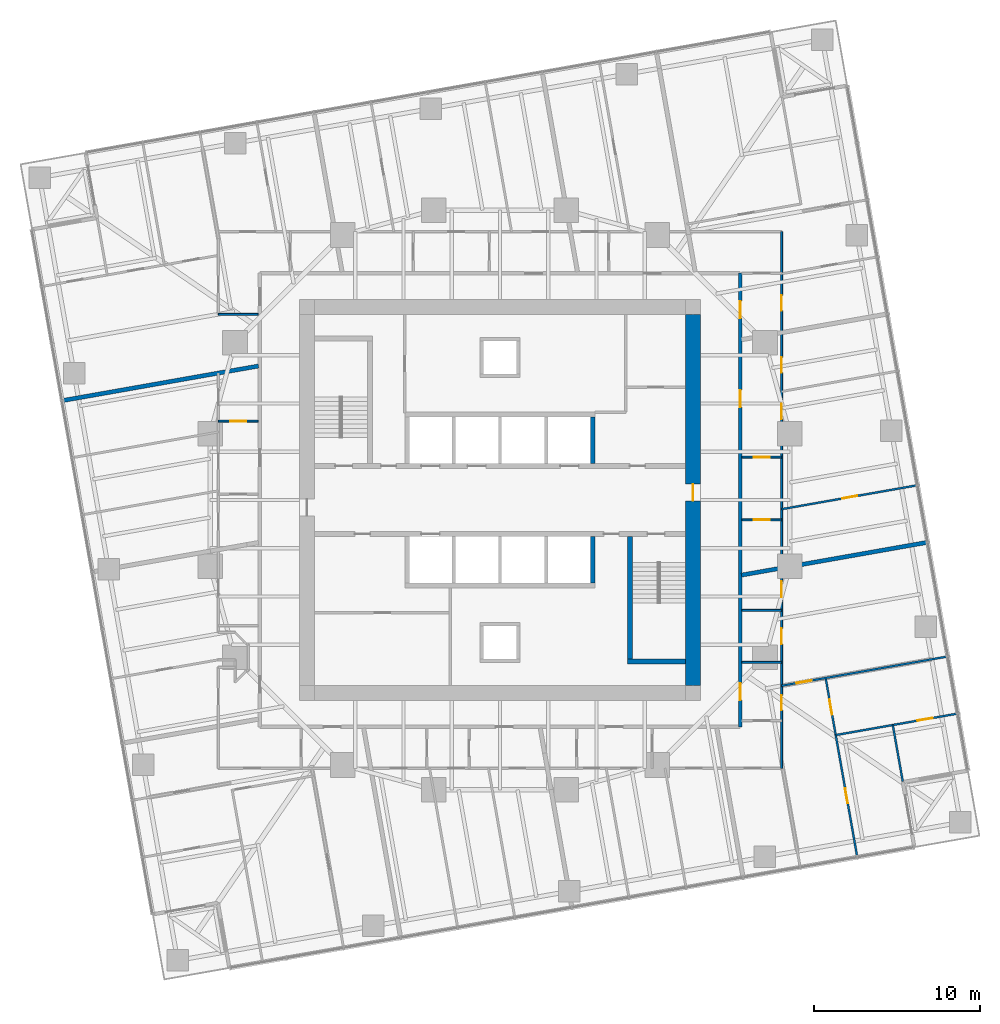
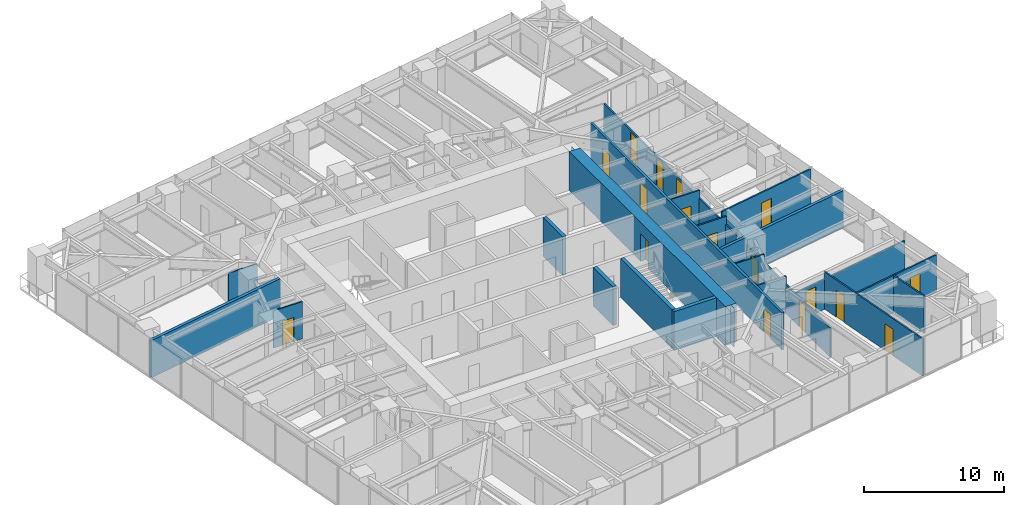
# One storey, part 11 of 14: 20 walls, 18 doors, 18 openings.
"""IFC4 building model written with IfcOpenShell, lengths in metres."""

from ifc_helpers import new_model, si_unit, direction, frame, frame_2d, origin, place, context, subcontext, project, spatial, polyline, rectangle, outline, extrude, material, layer, layer_set, type_object, element, fill, save


model = new_model("IFC4")

# Units and contexts
model_context = context("Model", 3, precision=1e-05, world=origin(), true_north=direction((0.0, 1.0)))
body_context = subcontext(model_context, "Body", "Model", "MODEL_VIEW")
ifc_project = project(units=[si_unit("LENGTHUNIT", "METRE"), si_unit("AREAUNIT", "SQUARE_METRE"), si_unit("VOLUMEUNIT", "CUBIC_METRE"), si_unit("PLANEANGLEUNIT", "RADIAN"), si_unit("MASSUNIT", "GRAM", prefix="KILO")], contexts=[model_context])

# Site, building, storey
site_placement = place(None, origin())
site = spatial("IfcSite", under=ifc_project, at=site_placement, CompositionType="ELEMENT")
building_placement = place(site_placement, origin())
building = spatial("IfcBuilding", under=site, at=building_placement, Name="Torsade Residences", CompositionType="ELEMENT")
storey_placement = place(building_placement, frame((0.0, 0.0, 89.60009765625)))
storey = spatial("IfcBuildingStorey", under=building, at=storey_placement, Name="L24", CompositionType="ELEMENT", Elevation=89.60009765625)

# Walls
ifc_material_1 = material(Name="Concrete 80 MPa", Category="concrete")
ifc_layer_1 = layer(ifc_material_1, 0.300048828125)
ifc_layer_set_1 = layer_set([ifc_layer_1], Name="Concrete 80 MPa")
wall_type_1 = type_object("IfcWallType", Name="CORE INTERNAL WALL 300", PredefinedType="SHEAR", material=ifc_layer_set_1)
for number, where, z_axis, x_axis, name in (
    (1, (45.60009765625, 27.800048828125, 0.0), (0.0, 0.0, 1.0), (0.0, -1.0, 0.0), "Core wall DS0 L24"),
    (2, (45.60009765625, 32.199951171875, 0.0), (0.0, 0.0, 1.0), (0.0, 1.0, 0.0), "Core wall DN4 L24"),
):
    element("IfcWall", number, at=place(storey_placement, frame(where, z_axis=z_axis, x_axis=x_axis)), inside=storey, type_object=wall_type_1, Name=name, PredefinedType="SHEAR", context=body_context, shape_type="SweptSolid", body=[
        extrude(rectangle(XDim=2.800048828125, YDim=0.300048828125, at=frame_2d((1.39990234375, 0.0))), origin(), (0.0, 0.0, 1.0), 3.39990234375),
    ])
wall_1_placement = place(storey_placement, frame((47.85009765625, 27.800048828125, 0.0), z_axis=(0.0, 0.0, 1.0), x_axis=(0.0, -1.0, 0.0)))
element("IfcWall", 3, at=wall_1_placement, inside=storey, type_object=wall_type_1, Name="Core wall ST2W L24", PredefinedType="SHEAR", context=body_context, shape_type="SweptSolid", body=[
    extrude(rectangle(XDim=7.699951171875, YDim=0.300048828125, at=frame_2d((3.85009765625, 0.0))), origin(), (0.0, 0.0, 1.0), 3.39990234375),
])
wall_2_placement = place(storey_placement, frame((51.199951171875, 20.25, 0.0), z_axis=(0.0, 0.0, 1.0), x_axis=(-1.0, 0.0, 0.0)))
element("IfcWall", 4, at=wall_2_placement, inside=storey, type_object=wall_type_1, Name="Core wall ST2S L24", PredefinedType="SHEAR", context=body_context, shape_type="SweptSolid", body=[
    extrude(rectangle(XDim=3.5, YDim=0.300048828125, at=frame_2d((1.75, 0.0))), origin(), (0.0, 0.0, 1.0), 3.39990234375),
])

# Wall, opening, door
ifc_material_2 = material(Name="Concrete 80 MPa", Category="concrete")
ifc_layer_2 = layer(ifc_material_2, 0.89990234375)
ifc_layer_set_2 = layer_set([ifc_layer_2], Name="Concrete 80 MPa")
wall_type_2 = type_object("IfcWallType", Name="CORE WALL 900", PredefinedType="SHEAR", material=ifc_layer_set_2)
wall_3_placement = place(storey_placement, frame((51.64990234375, 18.800048828125, 0.0), z_axis=(0.0, 0.0, 1.0), x_axis=(0.0, 1.0, 0.0)))
wall_3 = element("IfcWall", 5, at=wall_3_placement, inside=storey, type_object=wall_type_2, Name="Core wall E L24", PredefinedType="SHEAR", context=body_context, shape_type="SweptSolid", body=[
    extrude(outline(polyline([(0.0, -0.449951171875), (22.39990234375, -0.449951171875), (22.39990234375, -0.02490234375), (22.849853515625, -0.02490234375), (22.849853515625, 0.02490234375), (22.39990234375, 0.02490234375), (22.39990234375, 0.449951171875), (0.0, 0.449951171875), (0.0, 0.02490234375), (-0.449951171875, 0.02490234375), (-0.449951171875, -0.02490234375), (0.0, -0.02490234375), (0.0, -0.449951171875)])), origin(), (0.0, 0.0, 1.0), 3.39990234375),
])
opening_1_placement = place(wall_3_placement, frame((11.139892578125, 0.0, 0.0)))
opening_1 = element("IfcOpeningElement", 6, at=opening_1_placement, cuts=wall_3, Name="Opening D04", PredefinedType="OPENING", context=body_context, shape_type="SweptSolid", body=[
    extrude(rectangle(XDim=1.02001953125, YDim=2.39990234375, at=frame_2d((0.510009765625, 1.199951171875))), frame((0.0, 0.4599609375, 0.0), z_axis=(0.0, -1.0, 0.0), x_axis=(1.0, 0.0, 0.0)), (0.0, 0.0, 1.0), 0.919921875),
])
ifc_material_3 = material(Name="Steel-framed fire door", Category="steel")
door_type_1 = type_object("IfcDoorType", Name="LOBBY SMOKE DOOR 1020x2400", OperationType="NOTDEFINED", PredefinedType="DOOR", material=ifc_material_3)
door_1_placement = place(opening_1_placement, origin())
door_1 = element("IfcDoor", 7, at=door_1_placement, inside=storey, type_object=door_type_1, Name="Lift lobby door E L24", OperationType="SINGLE_SWING_LEFT", OverallHeight=2.39990234375, OverallWidth=1.02001953125, PredefinedType="DOOR", context=body_context, shape_type="SweptSolid", body=[
    extrude(rectangle(XDim=1.02001953125, YDim=2.39990234375, at=frame_2d((0.510009765625, 1.199951171875))), frame((0.0, 0.02490234375, 0.0), z_axis=(0.0, -1.0, 0.0), x_axis=(1.0, 0.0, 0.0)), (0.0, 0.0, 1.0), 0.050048828125),
])
fill(opening_1, door_1)

# Wall, openings, doors
ifc_material_4 = material(Name="Plasterboard on steel stud", Category="steel")
ifc_layer_3 = layer(ifc_material_4, 0.199951171875)
ifc_layer_set_3 = layer_set([ifc_layer_3], Name="Plasterboard on steel stud")
wall_type_3 = type_object("IfcWallType", Name="CORRIDOR WALL 200", PredefinedType="PARTITIONING", material=ifc_layer_set_3)
wall_4_placement = place(storey_placement, frame((54.5, 16.300048828125, 0.0), z_axis=(0.0, 0.0, 1.0), x_axis=(0.0, 1.0, 0.0)))
wall_4 = element("IfcWall", 8, at=wall_4_placement, inside=storey, type_object=wall_type_3, Name="Corridor wall L24", PredefinedType="PARTITIONING", context=body_context, shape_type="SweptSolid", body=[
    extrude(rectangle(XDim=27.39990234375, YDim=0.199951171875, at=frame_2d((13.699951171875, 0.0))), origin(), (0.0, 0.0, 1.0), 3.25),
])
opening_2_placement = place(wall_4_placement, frame((19.307861328125, 0.0, 0.0)))
opening_2 = element("IfcOpeningElement", 9, at=opening_2_placement, cuts=wall_4, Name="Opening D01", PredefinedType="OPENING", context=body_context, shape_type="SweptSolid", body=[
    extrude(rectangle(XDim=1.02001953125, YDim=2.340087890625, at=frame_2d((0.510009765625, 1.169921875))), frame((0.0, 0.10986328125, 0.0), z_axis=(0.0, -1.0, 0.0), x_axis=(1.0, 0.0, 0.0)), (0.0, 0.0, 1.0), 0.219970703125),
])
opening_3_placement = place(wall_4_placement, frame((24.6865234375, 0.0, 0.0)))
opening_3 = element("IfcOpeningElement", 10, at=opening_3_placement, cuts=wall_4, Name="Opening D01L", PredefinedType="OPENING", context=body_context, shape_type="SweptSolid", body=[
    extrude(rectangle(XDim=1.02001953125, YDim=2.10009765625, at=frame_2d((0.510009765625, 1.050048828125))), frame((0.0, 0.10986328125, 0.0), z_axis=(0.0, -1.0, 0.0), x_axis=(1.0, 0.0, 0.0)), (0.0, 0.0, 1.0), 0.219970703125),
])
opening_4_placement = place(wall_4_placement, frame((1.62158203125, 0.0, 0.0)))
opening_4 = element("IfcOpeningElement", 11, at=opening_4_placement, cuts=wall_4, Name="Opening D01L", PredefinedType="OPENING", context=body_context, shape_type="SweptSolid", body=[
    extrude(rectangle(XDim=1.02001953125, YDim=2.10009765625, at=frame_2d((0.510009765625, 1.050048828125))), frame((0.0, 0.10986328125, 0.0), z_axis=(0.0, -1.0, 0.0), x_axis=(1.0, 0.0, 0.0)), (0.0, 0.0, 1.0), 0.219970703125),
])
ifc_material_5 = material(Name="Solid-core timber fire door", Category="wood")
door_type_2 = type_object("IfcDoorType", Name="APARTMENT ENTRY DOOR 1020x2100", OperationType="NOTDEFINED", PredefinedType="DOOR", material=ifc_material_5)
door_2_placement = place(opening_3_placement, origin())
door_2 = element("IfcDoor", 12, at=door_2_placement, inside=storey, type_object=door_type_2, Name="Door Residential corridor to Kitchen and dining", OperationType="SINGLE_SWING_RIGHT", OverallHeight=2.10009765625, OverallWidth=1.02001953125, PredefinedType="DOOR", context=body_context, shape_type="SweptSolid", body=[
    extrude(rectangle(XDim=1.02001953125, YDim=2.10009765625, at=frame_2d((0.510009765625, 1.050048828125))), frame((0.0, 0.02490234375, 0.0), z_axis=(0.0, -1.0, 0.0), x_axis=(1.0, 0.0, 0.0)), (0.0, 0.0, 1.0), 0.050048828125),
])
fill(opening_3, door_2)
door_3_placement = place(opening_4_placement, origin())
door_3 = element("IfcDoor", 13, at=door_3_placement, inside=storey, type_object=door_type_2, Name="Door Residential corridor to Kitchen and dining", OperationType="SINGLE_SWING_LEFT", OverallHeight=2.10009765625, OverallWidth=1.02001953125, PredefinedType="DOOR", context=body_context, shape_type="SweptSolid", body=[
    extrude(rectangle(XDim=1.02001953125, YDim=2.10009765625, at=frame_2d((0.510009765625, 1.050048828125))), frame((0.0, 0.02490234375, 0.0), z_axis=(0.0, -1.0, 0.0), x_axis=(1.0, 0.0, 0.0)), (0.0, 0.0, 1.0), 0.050048828125),
])
fill(opening_4, door_3)
ifc_material_6 = material(Name="Solid-core timber fire door", Category="wood")
door_type_3 = type_object("IfcDoorType", Name="APARTMENT ENTRY DOOR 1020x2340", OperationType="NOTDEFINED", PredefinedType="DOOR", material=ifc_material_6)
door_4_placement = place(opening_2_placement, origin())
door_4 = element("IfcDoor", 14, at=door_4_placement, inside=storey, type_object=door_type_3, Name="Door Residential corridor to Kitchen and dining", OperationType="SINGLE_SWING_LEFT", OverallHeight=2.340087890625, OverallWidth=1.02001953125, PredefinedType="DOOR", context=body_context, shape_type="SweptSolid", body=[
    extrude(rectangle(XDim=1.02001953125, YDim=2.340087890625, at=frame_2d((0.510009765625, 1.169921875))), frame((0.0, 0.02490234375, 0.0), z_axis=(0.0, -1.0, 0.0), x_axis=(1.0, 0.0, 0.0)), (0.0, 0.0, 1.0), 0.050048828125),
])
fill(opening_2, door_4)

# Wall
ifc_material_7 = material(Name="Plasterboard on steel stud", Category="steel")
ifc_layer_4 = layer(ifc_material_7, 0.1201171875)
ifc_layer_set_4 = layer_set([ifc_layer_4], Name="Plasterboard on steel stud")
wall_type_4 = type_object("IfcWallType", Name="PARTITION 120", PredefinedType="PARTITIONING", material=ifc_layer_set_4)
wall_5_placement = place(storey_placement, frame((54.60009765625, 20.19189453125, 0.0), z_axis=(0.0, 0.0, 1.0), x_axis=(1.0, 0.0, 0.0)))
element("IfcWall", 15, at=wall_5_placement, inside=storey, type_object=wall_type_4, Name="Partition L24", PredefinedType="PARTITIONING", context=body_context, shape_type="SweptSolid", body=[
    extrude(rectangle(XDim=2.39990234375, YDim=0.1201171875, at=frame_2d((1.199951171875, 0.0))), origin(), (0.0, 0.0, 1.0), 3.25),
])

# Wall, openings, doors
wall_6_placement = place(storey_placement, frame((57.0, 46.199951171875, 0.0), z_axis=(0.0, 0.0, 1.0), x_axis=(0.0, -1.0, 0.0)))
wall_6 = element("IfcWall", 16, at=wall_6_placement, inside=storey, type_object=wall_type_4, Name="Partition L24", PredefinedType="PARTITIONING", context=body_context, shape_type="SweptSolid", body=[
    extrude(rectangle(XDim=32.39990234375, YDim=0.1201171875, at=frame_2d((16.199951171875, 0.0))), origin(), (0.0, 0.0, 1.0), 2.5498046875),
])
opening_5_placement = place(wall_6_placement, frame((10.396484375, 0.0, 0.0)))
opening_5 = element("IfcOpeningElement", 17, at=opening_5_placement, cuts=wall_6, Name="Opening D02", PredefinedType="OPENING", context=body_context, shape_type="SweptSolid", body=[
    extrude(rectangle(XDim=0.919921875, YDim=2.340087890625, at=frame_2d((0.4599609375, 1.169921875))), frame((0.0, 0.070068359375, 0.0), z_axis=(0.0, -1.0, 0.0), x_axis=(1.0, 0.0, 0.0)), (0.0, 0.0, 1.0), 0.14013671875),
])
opening_6_placement = place(wall_6_placement, frame((7.5869140625, 0.0, 0.0)))
opening_6 = element("IfcOpeningElement", 18, at=opening_6_placement, cuts=wall_6, Name="Opening D02", PredefinedType="OPENING", context=body_context, shape_type="SweptSolid", body=[
    extrude(rectangle(XDim=0.919921875, YDim=2.340087890625, at=frame_2d((0.4599609375, 1.169921875))), frame((0.0, 0.070068359375, 0.0), z_axis=(0.0, -1.0, 0.0), x_axis=(1.0, 0.0, 0.0)), (0.0, 0.0, 1.0), 0.14013671875),
])
opening_7_placement = place(wall_6_placement, frame((3.8427734375, 0.0, 0.0)))
opening_7 = element("IfcOpeningElement", 19, at=opening_7_placement, cuts=wall_6, Name="Opening D02", PredefinedType="OPENING", context=body_context, shape_type="SweptSolid", body=[
    extrude(rectangle(XDim=0.919921875, YDim=2.340087890625, at=frame_2d((0.4599609375, 1.169921875))), frame((0.0, 0.070068359375, 0.0), z_axis=(0.0, -1.0, 0.0), x_axis=(1.0, 0.0, 0.0)), (0.0, 0.0, 1.0), 0.14013671875),
])
opening_8_placement = place(wall_6_placement, frame((27.98828125, 0.0, 0.0)))
opening_8 = element("IfcOpeningElement", 20, at=opening_8_placement, cuts=wall_6, Name="Opening D02", PredefinedType="OPENING", context=body_context, shape_type="SweptSolid", body=[
    extrude(rectangle(XDim=0.919921875, YDim=2.340087890625, at=frame_2d((0.4599609375, 1.169921875))), frame((0.0, 0.070068359375, 0.0), z_axis=(0.0, -1.0, 0.0), x_axis=(1.0, 0.0, 0.0)), (0.0, 0.0, 1.0), 0.14013671875),
])
opening_9_placement = place(wall_6_placement, frame((23.956787109375, 0.0, 0.0)))
opening_9 = element("IfcOpeningElement", 21, at=opening_9_placement, cuts=wall_6, Name="Opening D05", PredefinedType="OPENING", context=body_context, shape_type="SweptSolid", body=[
    extrude(rectangle(XDim=0.9599609375, YDim=2.10009765625, at=frame_2d((0.47998046875, 1.050048828125))), frame((0.0, 0.070068359375, 0.0), z_axis=(0.0, -1.0, 0.0), x_axis=(1.0, 0.0, 0.0)), (0.0, 0.0, 1.0), 0.14013671875),
])
opening_10_placement = place(wall_6_placement, frame((21.10791015625, 0.0, 0.0)))
opening_10 = element("IfcOpeningElement", 22, at=opening_10_placement, cuts=wall_6, Name="Opening D05", PredefinedType="OPENING", context=body_context, shape_type="SweptSolid", body=[
    extrude(rectangle(XDim=0.9599609375, YDim=2.10009765625, at=frame_2d((0.47998046875, 1.050048828125))), frame((0.0, 0.070068359375, 0.0), z_axis=(0.0, -1.0, 0.0), x_axis=(1.0, 0.0, 0.0)), (0.0, 0.0, 1.0), 0.14013671875),
])
ifc_material_8 = material(Name="Hollow-core timber door in a steel cavity frame", Category="steel")
door_type_4 = type_object("IfcDoorType", Name="BATHROOM CAVITY SLIDING DOOR 960", OperationType="SLIDING_TO_LEFT", PredefinedType="DOOR", material=ifc_material_8)
door_5_placement = place(opening_9_placement, origin())
door_5 = element("IfcDoor", 23, at=door_5_placement, inside=storey, type_object=door_type_4, Name="Door Living room to Bathroom", OperationType="SLIDING_TO_LEFT", OverallHeight=2.10009765625, OverallWidth=0.9599609375, PredefinedType="DOOR", context=body_context, shape_type="SweptSolid", body=[
    extrude(rectangle(XDim=0.9599609375, YDim=2.10009765625, at=frame_2d((0.47998046875, 1.050048828125))), frame((0.0, 0.02490234375, 0.0), z_axis=(0.0, -1.0, 0.0), x_axis=(1.0, 0.0, 0.0)), (0.0, 0.0, 1.0), 0.050048828125),
])
fill(opening_9, door_5)
door_6_placement = place(opening_10_placement, origin())
door_6 = element("IfcDoor", 24, at=door_6_placement, inside=storey, type_object=door_type_4, Name="Door Living room to Ensuite", OperationType="SLIDING_TO_LEFT", OverallHeight=2.10009765625, OverallWidth=0.9599609375, PredefinedType="DOOR", context=body_context, shape_type="SweptSolid", body=[
    extrude(rectangle(XDim=0.9599609375, YDim=2.10009765625, at=frame_2d((0.47998046875, 1.050048828125))), frame((0.0, 0.02490234375, 0.0), z_axis=(0.0, -1.0, 0.0), x_axis=(1.0, 0.0, 0.0)), (0.0, 0.0, 1.0), 0.050048828125),
])
fill(opening_10, door_6)
ifc_material_9 = material(Name="Hollow-core timber door", Category="wood")
door_type_5 = type_object("IfcDoorType", Name="INTERNAL DOOR 920x2340", OperationType="NOTDEFINED", PredefinedType="DOOR", material=ifc_material_9)
door_7_placement = place(opening_5_placement, origin())
door_7 = element("IfcDoor", 25, at=door_7_placement, inside=storey, type_object=door_type_5, Name="Door Kitchen and dining to Living room", OperationType="SINGLE_SWING_RIGHT", OverallHeight=2.340087890625, OverallWidth=0.919921875, PredefinedType="DOOR", context=body_context, shape_type="SweptSolid", body=[
    extrude(rectangle(XDim=0.919921875, YDim=2.340087890625, at=frame_2d((0.4599609375, 1.169921875))), frame((0.0, 0.02490234375, 0.0), z_axis=(0.0, -1.0, 0.0), x_axis=(1.0, 0.0, 0.0)), (0.0, 0.0, 1.0), 0.050048828125),
])
fill(opening_5, door_7)
door_8_placement = place(opening_6_placement, origin())
door_8 = element("IfcDoor", 26, at=door_8_placement, inside=storey, type_object=door_type_5, Name="Door Kitchen and dining to Bedroom 2", OperationType="SINGLE_SWING_RIGHT", OverallHeight=2.340087890625, OverallWidth=0.919921875, PredefinedType="DOOR", context=body_context, shape_type="SweptSolid", body=[
    extrude(rectangle(XDim=0.919921875, YDim=2.340087890625, at=frame_2d((0.4599609375, 1.169921875))), frame((0.0, 0.02490234375, 0.0), z_axis=(0.0, -1.0, 0.0), x_axis=(1.0, 0.0, 0.0)), (0.0, 0.0, 1.0), 0.050048828125),
])
fill(opening_6, door_8)
door_9_placement = place(opening_7_placement, origin())
door_9 = element("IfcDoor", 27, at=door_9_placement, inside=storey, type_object=door_type_5, Name="Door Kitchen and dining to Study", OperationType="SINGLE_SWING_RIGHT", OverallHeight=2.340087890625, OverallWidth=0.919921875, PredefinedType="DOOR", context=body_context, shape_type="SweptSolid", body=[
    extrude(rectangle(XDim=0.919921875, YDim=2.340087890625, at=frame_2d((0.4599609375, 1.169921875))), frame((0.0, 0.02490234375, 0.0), z_axis=(0.0, -1.0, 0.0), x_axis=(1.0, 0.0, 0.0)), (0.0, 0.0, 1.0), 0.050048828125),
])
fill(opening_7, door_9)
door_10_placement = place(opening_8_placement, origin())
door_10 = element("IfcDoor", 28, at=door_10_placement, inside=storey, type_object=door_type_5, Name="Door Kitchen and dining to Bedroom 1", OperationType="SINGLE_SWING_LEFT", OverallHeight=2.340087890625, OverallWidth=0.919921875, PredefinedType="DOOR", context=body_context, shape_type="SweptSolid", body=[
    extrude(rectangle(XDim=0.919921875, YDim=2.340087890625, at=frame_2d((0.4599609375, 1.169921875))), frame((0.0, 0.02490234375, 0.0), z_axis=(0.0, -1.0, 0.0), x_axis=(1.0, 0.0, 0.0)), (0.0, 0.0, 1.0), 0.050048828125),
])
fill(opening_8, door_10)

# Wall
wall_7_placement = place(storey_placement, frame((54.60009765625, 23.334716796875, 0.0), z_axis=(0.0, 0.0, 1.0), x_axis=(1.0, 0.0, 0.0)))
element("IfcWall", 29, at=wall_7_placement, inside=storey, type_object=wall_type_4, Name="Partition L24", PredefinedType="PARTITIONING", context=body_context, shape_type="SweptSolid", body=[
    extrude(rectangle(XDim=2.39990234375, YDim=0.1201171875, at=frame_2d((1.199951171875, 0.0))), origin(), (0.0, 0.0, 1.0), 3.25),
])

# Wall, opening, door
wall_8_placement = place(storey_placement, frame((67.011962890625, 20.546875, 0.0), z_axis=(0.0, 0.0, 1.0), x_axis=(-0.984807724889, -0.173648337162, 0.0)))
wall_8 = element("IfcWall", 30, at=wall_8_placement, inside=storey, type_object=wall_type_4, Name="Partition L24", PredefinedType="PARTITIONING", context=body_context, shape_type="SweptSolid", body=[
    extrude(rectangle(XDim=10.16650390625, YDim=0.1201171875, at=frame_2d((5.083251953125, 0.0))), origin(), (0.0, 0.0, 1.0), 2.637939453125),
])
opening_11_placement = place(wall_8_placement, frame((8.328125, 0.0, 0.0)))
opening_11 = element("IfcOpeningElement", 31, at=opening_11_placement, cuts=wall_8, Name="Opening D02", PredefinedType="OPENING", context=body_context, shape_type="SweptSolid", body=[
    extrude(rectangle(XDim=0.919921875, YDim=2.340087890625, at=frame_2d((0.4599609375, 1.169921875))), frame((0.0, 0.070068359375, 0.0), z_axis=(0.0, -1.0, 0.0), x_axis=(1.0, 0.0, 0.0)), (0.0, 0.0, 1.0), 0.14013671875),
])
door_11_placement = place(opening_11_placement, origin())
door_11 = element("IfcDoor", 32, at=door_11_placement, inside=storey, type_object=door_type_5, Name="Door Bedroom 1 to Living room", OperationType="SINGLE_SWING_LEFT", OverallHeight=2.340087890625, OverallWidth=0.919921875, PredefinedType="DOOR", context=body_context, shape_type="SweptSolid", body=[
    extrude(rectangle(XDim=0.919921875, YDim=2.340087890625, at=frame_2d((0.4599609375, 1.169921875))), frame((0.0, 0.02490234375, 0.0), z_axis=(0.0, -1.0, 0.0), x_axis=(1.0, 0.0, 0.0)), (0.0, 0.0, 1.0), 0.050048828125),
])
fill(opening_11, door_11)

# Wall, openings, doors
wall_9_placement = place(storey_placement, frame((59.665283203125, 19.25146484375, 0.0), z_axis=(0.0, 0.0, 1.0), x_axis=(0.173639194339, -0.984809336973, 0.0)))
wall_9 = element("IfcWall", 33, at=wall_9_placement, inside=storey, type_object=wall_type_4, Name="Partition L24", PredefinedType="PARTITIONING", context=body_context, shape_type="SweptSolid", body=[
    extrude(rectangle(XDim=10.9599609375, YDim=0.1201171875, at=frame_2d((5.47998046875, 0.0))), origin(), (0.0, 0.0, 1.0), 3.25),
])
opening_12_placement = place(wall_9_placement, frame((6.764892578125, 0.0, 0.0)))
opening_12 = element("IfcOpeningElement", 34, at=opening_12_placement, cuts=wall_9, Name="Opening D02", PredefinedType="OPENING", context=body_context, shape_type="SweptSolid", body=[
    extrude(rectangle(XDim=0.919921875, YDim=2.340087890625, at=frame_2d((0.4599609375, 1.169921875))), frame((0.0, 0.070068359375, 0.0), z_axis=(0.0, -1.0, 0.0), x_axis=(1.0, 0.0, 0.0)), (0.0, 0.0, 1.0), 0.14013671875),
])
opening_13_placement = place(wall_9_placement, frame((1.31494140625, 0.0, 0.0)))
opening_13 = element("IfcOpeningElement", 35, at=opening_13_placement, cuts=wall_9, Name="Opening D02", PredefinedType="OPENING", context=body_context, shape_type="SweptSolid", body=[
    extrude(rectangle(XDim=0.919921875, YDim=2.340087890625, at=frame_2d((0.4599609375, 1.169921875))), frame((0.0, 0.070068359375, 0.0), z_axis=(0.0, -1.0, 0.0), x_axis=(1.0, 0.0, 0.0)), (0.0, 0.0, 1.0), 0.14013671875),
])
door_12_placement = place(opening_12_placement, origin())
door_12 = element("IfcDoor", 36, at=door_12_placement, inside=storey, type_object=door_type_5, Name="Door Bedroom 1 to Study", OperationType="SINGLE_SWING_RIGHT", OverallHeight=2.340087890625, OverallWidth=0.919921875, PredefinedType="DOOR", context=body_context, shape_type="SweptSolid", body=[
    extrude(rectangle(XDim=0.919921875, YDim=2.340087890625, at=frame_2d((0.4599609375, 1.169921875))), frame((0.0, 0.02490234375, 0.0), z_axis=(0.0, -1.0, 0.0), x_axis=(1.0, 0.0, 0.0)), (0.0, 0.0, 1.0), 0.050048828125),
])
fill(opening_12, door_12)
door_13_placement = place(opening_13_placement, origin())
door_13 = element("IfcDoor", 37, at=door_13_placement, inside=storey, type_object=door_type_5, Name="Door Bedroom 1 to Bedroom 2", OperationType="SINGLE_SWING_RIGHT", OverallHeight=2.340087890625, OverallWidth=0.919921875, PredefinedType="DOOR", context=body_context, shape_type="SweptSolid", body=[
    extrude(rectangle(XDim=0.919921875, YDim=2.340087890625, at=frame_2d((0.4599609375, 1.169921875))), frame((0.0, 0.02490234375, 0.0), z_axis=(0.0, -1.0, 0.0), x_axis=(1.0, 0.0, 0.0)), (0.0, 0.0, 1.0), 0.050048828125),
])
fill(opening_13, door_13)

# Wall, opening, door
wall_10_placement = place(storey_placement, frame((67.61962890625, 17.10009765625, 0.0), z_axis=(0.0, 0.0, 1.0), x_axis=(-0.984807929323, -0.173647177755, 0.0)))
wall_10 = element("IfcWall", 38, at=wall_10_placement, inside=storey, type_object=wall_type_4, Name="Partition L24", PredefinedType="PARTITIONING", context=body_context, shape_type="SweptSolid", body=[
    extrude(rectangle(XDim=7.4599609375, YDim=0.1201171875, at=frame_2d((3.72998046875, 0.0))), origin(), (0.0, 0.0, 1.0), 3.25),
])
opening_14_placement = place(wall_10_placement, frame((1.525146484375, 0.0, 0.0)))
opening_14 = element("IfcOpeningElement", 39, at=opening_14_placement, cuts=wall_10, Name="Opening D02", PredefinedType="OPENING", context=body_context, shape_type="SweptSolid", body=[
    extrude(rectangle(XDim=0.919921875, YDim=2.340087890625, at=frame_2d((0.4599609375, 1.169921875))), frame((0.0, 0.070068359375, 0.0), z_axis=(0.0, -1.0, 0.0), x_axis=(1.0, 0.0, 0.0)), (0.0, 0.0, 1.0), 0.14013671875),
])
door_14_placement = place(opening_14_placement, origin())
door_14 = element("IfcDoor", 40, at=door_14_placement, inside=storey, type_object=door_type_5, Name="Door Bedroom 2 to Media room", OperationType="SINGLE_SWING_RIGHT", OverallHeight=2.340087890625, OverallWidth=0.919921875, PredefinedType="DOOR", context=body_context, shape_type="SweptSolid", body=[
    extrude(rectangle(XDim=0.919921875, YDim=2.340087890625, at=frame_2d((0.4599609375, 1.169921875))), frame((0.0, 0.02490234375, 0.0), z_axis=(0.0, -1.0, 0.0), x_axis=(1.0, 0.0, 0.0)), (0.0, 0.0, 1.0), 0.050048828125),
])
fill(opening_14, door_14)

# Wall
wall_11_placement = place(storey_placement, frame((63.7197265625, 16.412353515625, 0.0), z_axis=(0.0, 0.0, 1.0), x_axis=(0.173660541335, -0.984805572884, 0.0)))
element("IfcWall", 41, at=wall_11_placement, inside=storey, type_object=wall_type_4, Name="Partition L24", PredefinedType="PARTITIONING", context=body_context, shape_type="SweptSolid", body=[
    extrude(rectangle(XDim=3.459716796875, YDim=0.1201171875, at=frame_2d((1.72998046875, 0.0))), origin(), (0.0, 0.0, 1.0), 3.25),
])

# Wall, opening, door
wall_12_placement = place(storey_placement, frame((57.0, 32.584716796875, 0.0), z_axis=(0.0, 0.0, 1.0), x_axis=(-1.0, 0.0, 0.0)))
wall_12 = element("IfcWall", 42, at=wall_12_placement, inside=storey, type_object=wall_type_4, Name="Partition L24", PredefinedType="PARTITIONING", context=body_context, shape_type="SweptSolid", body=[
    extrude(rectangle(XDim=2.39990234375, YDim=0.1201171875, at=frame_2d((1.199951171875, 0.0))), origin(), (0.0, 0.0, 1.0), 3.25),
])
opening_15_placement = place(wall_12_placement, frame((0.719970703125, 0.0, 0.0)))
opening_15 = element("IfcOpeningElement", 43, at=opening_15_placement, cuts=wall_12, Name="Opening D05", PredefinedType="OPENING", context=body_context, shape_type="SweptSolid", body=[
    extrude(rectangle(XDim=0.9599609375, YDim=2.10009765625, at=frame_2d((0.47998046875, 1.050048828125))), frame((0.0, 0.070068359375, 0.0), z_axis=(0.0, -1.0, 0.0), x_axis=(1.0, 0.0, 0.0)), (0.0, 0.0, 1.0), 0.14013671875),
])
door_15_placement = place(opening_15_placement, origin())
door_15 = element("IfcDoor", 44, at=door_15_placement, inside=storey, type_object=door_type_4, Name="Door Kitchen and dining to Bathroom", OperationType="SLIDING_TO_LEFT", OverallHeight=2.10009765625, OverallWidth=0.9599609375, PredefinedType="DOOR", context=body_context, shape_type="SweptSolid", body=[
    extrude(rectangle(XDim=0.9599609375, YDim=2.10009765625, at=frame_2d((0.47998046875, 1.050048828125))), frame((0.0, 0.02490234375, 0.0), z_axis=(0.0, -1.0, 0.0), x_axis=(1.0, 0.0, 0.0)), (0.0, 0.0, 1.0), 0.050048828125),
])
fill(opening_15, door_15)

wall_13_placement = place(storey_placement, frame((57.0, 28.802490234375, 0.0), z_axis=(0.0, 0.0, 1.0), x_axis=(-1.0, 0.0, 0.0)))
wall_13 = element("IfcWall", 45, at=wall_13_placement, inside=storey, type_object=wall_type_4, Name="Partition L24", PredefinedType="PARTITIONING", context=body_context, shape_type="SweptSolid", body=[
    extrude(rectangle(XDim=2.39990234375, YDim=0.1201171875, at=frame_2d((1.199951171875, 0.0))), origin(), (0.0, 0.0, 1.0), 3.25),
])
opening_16_placement = place(wall_13_placement, frame((0.719970703125, 0.0, 0.0)))
opening_16 = element("IfcOpeningElement", 46, at=opening_16_placement, cuts=wall_13, Name="Opening D05", PredefinedType="OPENING", context=body_context, shape_type="SweptSolid", body=[
    extrude(rectangle(XDim=0.9599609375, YDim=2.10009765625, at=frame_2d((0.47998046875, 1.050048828125))), frame((0.0, 0.070068359375, 0.0), z_axis=(0.0, -1.0, 0.0), x_axis=(1.0, 0.0, 0.0)), (0.0, 0.0, 1.0), 0.14013671875),
])
door_16_placement = place(opening_16_placement, origin())
door_16 = element("IfcDoor", 47, at=door_16_placement, inside=storey, type_object=door_type_4, Name="Door Bathroom to Ensuite", OperationType="SLIDING_TO_LEFT", OverallHeight=2.10009765625, OverallWidth=0.9599609375, PredefinedType="DOOR", context=body_context, shape_type="SweptSolid", body=[
    extrude(rectangle(XDim=0.9599609375, YDim=2.10009765625, at=frame_2d((0.47998046875, 1.050048828125))), frame((0.0, 0.02490234375, 0.0), z_axis=(0.0, -1.0, 0.0), x_axis=(1.0, 0.0, 0.0)), (0.0, 0.0, 1.0), 0.050048828125),
])
fill(opening_16, door_16)

wall_14_placement = place(storey_placement, frame((65.1884765625, 30.887451171875, 0.0), z_axis=(0.0, 0.0, 1.0), x_axis=(-0.984807787824, -0.173647980238, 0.0)))
wall_14 = element("IfcWall", 48, at=wall_14_placement, inside=storey, type_object=wall_type_4, Name="Partition L24", PredefinedType="PARTITIONING", context=body_context, shape_type="SweptSolid", body=[
    extrude(rectangle(XDim=8.314697265625, YDim=0.1201171875, at=frame_2d((4.1572265625, 0.0))), origin(), (0.0, 0.0, 1.0), 3.25),
])
opening_17_placement = place(wall_14_placement, frame((3.677490234375, 0.0, 0.0)))
opening_17 = element("IfcOpeningElement", 49, at=opening_17_placement, cuts=wall_14, Name="Opening D02", PredefinedType="OPENING", context=body_context, shape_type="SweptSolid", body=[
    extrude(rectangle(XDim=0.919921875, YDim=2.340087890625, at=frame_2d((0.4599609375, 1.169921875))), frame((0.0, 0.070068359375, 0.0), z_axis=(0.0, -1.0, 0.0), x_axis=(1.0, 0.0, 0.0)), (0.0, 0.0, 1.0), 0.14013671875),
])
door_17_placement = place(opening_17_placement, origin())
door_17 = element("IfcDoor", 50, at=door_17_placement, inside=storey, type_object=door_type_5, Name="Door Living room to Bedroom 1", OperationType="SINGLE_SWING_LEFT", OverallHeight=2.340087890625, OverallWidth=0.919921875, PredefinedType="DOOR", context=body_context, shape_type="SweptSolid", body=[
    extrude(rectangle(XDim=0.919921875, YDim=2.340087890625, at=frame_2d((0.4599609375, 1.169921875))), frame((0.0, 0.02490234375, 0.0), z_axis=(0.0, -1.0, 0.0), x_axis=(1.0, 0.0, 0.0)), (0.0, 0.0, 1.0), 0.050048828125),
])
fill(opening_17, door_17)

# Wall
wall_15_placement = place(storey_placement, frame((25.39990234375, 41.207763671875, 0.0), z_axis=(0.0, 0.0, 1.0), x_axis=(-1.0, 0.0, 0.0)))
element("IfcWall", 51, at=wall_15_placement, inside=storey, type_object=wall_type_4, Name="Partition L24", PredefinedType="PARTITIONING", context=body_context, shape_type="SweptSolid", body=[
    extrude(rectangle(XDim=2.39990234375, YDim=0.1201171875, at=frame_2d((1.199951171875, 0.0))), origin(), (0.0, 0.0, 1.0), 2.637939453125),
])

# Wall, opening, door
wall_16_placement = place(storey_placement, frame((23.0, 34.764404296875, 0.0), z_axis=(0.0, 0.0, 1.0), x_axis=(1.0, 0.0, 0.0)))
wall_16 = element("IfcWall", 52, at=wall_16_placement, inside=storey, type_object=wall_type_4, Name="Partition L24", PredefinedType="PARTITIONING", context=body_context, shape_type="SweptSolid", body=[
    extrude(rectangle(XDim=2.39990234375, YDim=0.1201171875, at=frame_2d((1.199951171875, 0.0))), origin(), (0.0, 0.0, 1.0), 3.25),
])
opening_18_placement = place(wall_16_placement, frame((0.719970703125, 0.0, 0.0)))
opening_18 = element("IfcOpeningElement", 53, at=opening_18_placement, cuts=wall_16, Name="Opening D05", PredefinedType="OPENING", context=body_context, shape_type="SweptSolid", body=[
    extrude(rectangle(XDim=0.9599609375, YDim=2.10009765625, at=frame_2d((0.47998046875, 1.050048828125))), frame((0.0, 0.070068359375, 0.0), z_axis=(0.0, -1.0, 0.0), x_axis=(1.0, 0.0, 0.0)), (0.0, 0.0, 1.0), 0.14013671875),
])
door_18_placement = place(opening_18_placement, origin())
door_18 = element("IfcDoor", 54, at=door_18_placement, inside=storey, type_object=door_type_4, Name="Door Kitchen and dining to Bathroom", OperationType="SLIDING_TO_LEFT", OverallHeight=2.10009765625, OverallWidth=0.9599609375, PredefinedType="DOOR", context=body_context, shape_type="SweptSolid", body=[
    extrude(rectangle(XDim=0.9599609375, YDim=2.10009765625, at=frame_2d((0.47998046875, 1.050048828125))), frame((0.0, 0.02490234375, 0.0), z_axis=(0.0, -1.0, 0.0), x_axis=(1.0, 0.0, 0.0)), (0.0, 0.0, 1.0), 0.050048828125),
])
fill(opening_18, door_18)

# Walls
ifc_material_10 = material(Name="Masonry-lined stud party wall", Category="masonry")
ifc_layer_5 = layer(ifc_material_10, 0.25)
ifc_layer_set_5 = layer_set([ifc_layer_5], Name="Masonry-lined stud party wall")
wall_type_5 = type_object("IfcWallType", Name="PARTY WALL 250", PredefinedType="PARTITIONING", material=ifc_layer_set_5)
wall_17_placement = place(storey_placement, frame((65.835693359375, 27.447509765625, 0.0), z_axis=(0.0, 0.0, 1.0), x_axis=(-0.98481000304, -0.173635416642, 0.0)))
element("IfcWall", 55, at=wall_17_placement, inside=storey, type_object=wall_type_5, Name="Party wall L24", PredefinedType="PARTITIONING", context=body_context, shape_type="SweptSolid", body=[
    extrude(rectangle(XDim=11.427001953125, YDim=0.25, at=frame_2d((5.71337890625, 0.0))), origin(), (0.0, 0.0, 1.0), 3.25),
])
wall_18_placement = place(storey_placement, frame((13.556396484375, 35.999267578125, 0.0), z_axis=(0.0, 0.0, 1.0), x_axis=(0.984806609184, 0.173654664517, 0.0)))
element("IfcWall", 56, at=wall_18_placement, inside=storey, type_object=wall_type_5, Name="Party wall L24", PredefinedType="PARTITIONING", context=body_context, shape_type="SweptSolid", body=[
    extrude(rectangle(XDim=12.04443359375, YDim=0.25, at=frame_2d((6.022216796875, 0.0))), origin(), (0.0, 0.0, 1.0), 3.25),
])

save(model, "model.ifc")
